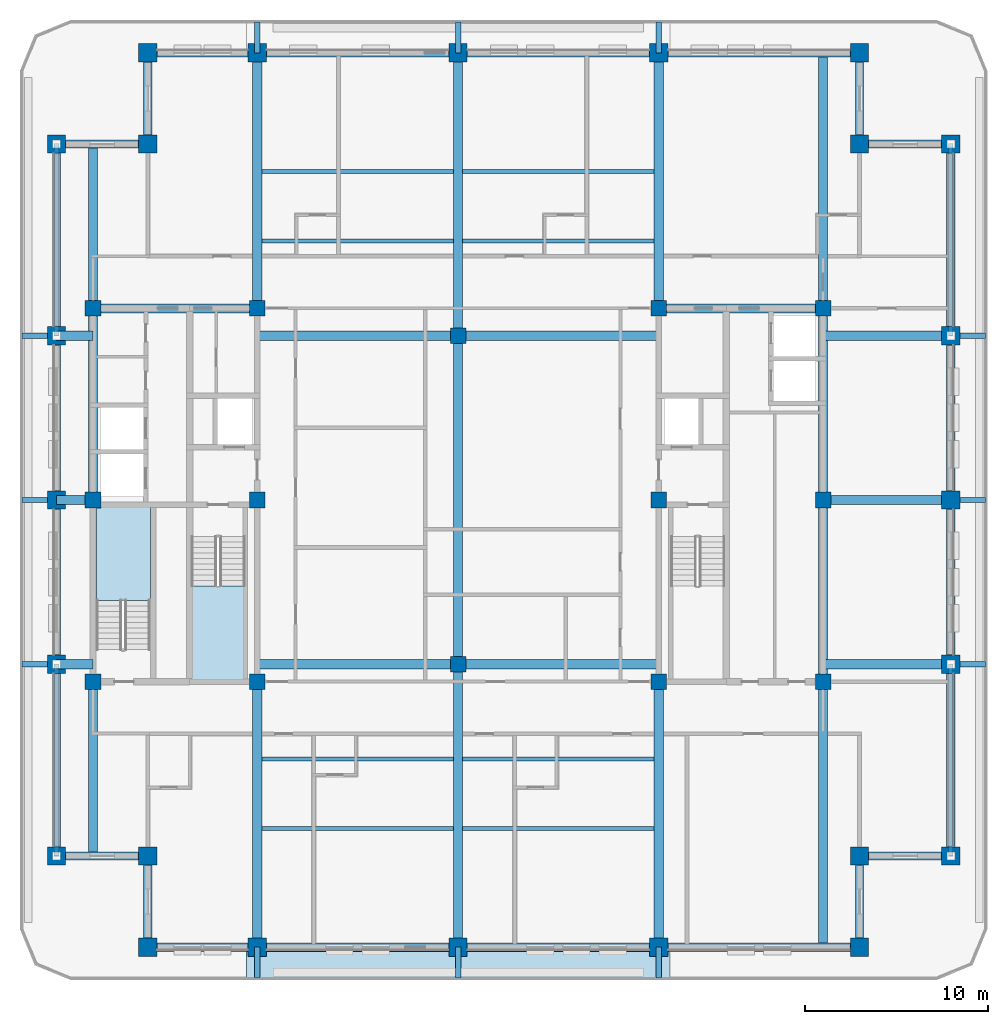
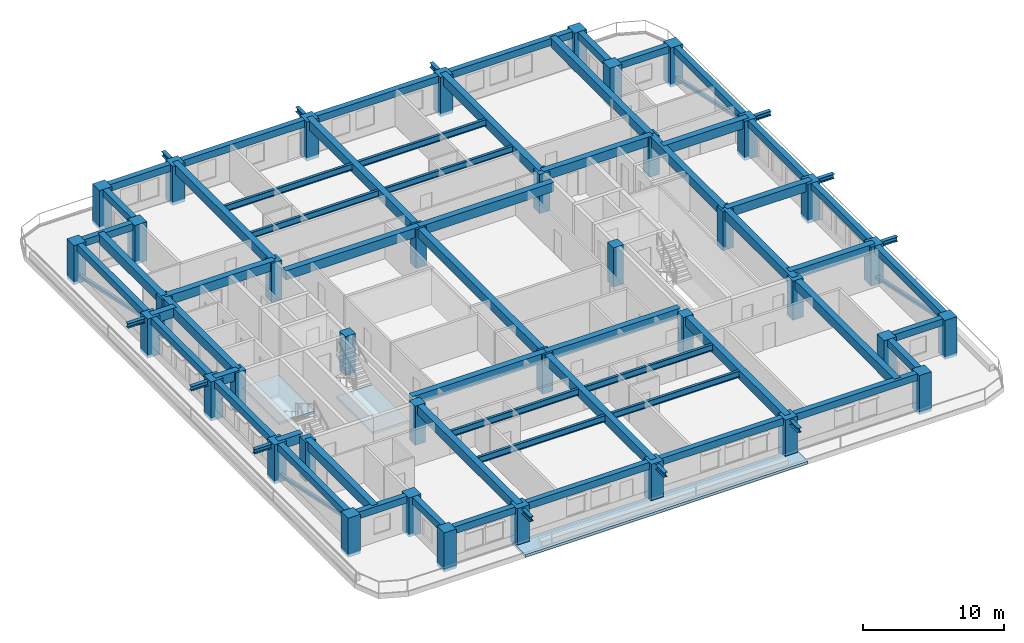
# One storey, part 1 of 13: 70 beams, 38 columns, 4 members, 3 slabs, 2 elements without a shape of their own.
"""IFC4 building model written with IfcOpenShell, lengths in metres."""

from ifc_helpers import new_model, si_unit, direction, frame, origin, origin_2d, place, context, subcontext, project, spatial, polyline, rectangle, hollow_rectangle, i_section, outline, extrude, material, layer, layer_set, material_profile, profile_set, type_object, element, aggregate, save


model = new_model("IFC4")

# Units and contexts
model_context = context("Model", 3, precision=1e-05, world=origin(), true_north=direction((0.0, 1.0)))
body_context = subcontext(model_context, "Body", "Model", "MODEL_VIEW")
ifc_project = project(units=[si_unit("LENGTHUNIT", "METRE"), si_unit("AREAUNIT", "SQUARE_METRE"), si_unit("VOLUMEUNIT", "CUBIC_METRE"), si_unit("PLANEANGLEUNIT", "RADIAN"), si_unit("MASSUNIT", "GRAM", prefix="KILO")], contexts=[model_context])

# Site, building, storey
site_placement = place(None, origin())
site = spatial("IfcSite", under=ifc_project, at=site_placement, CompositionType="ELEMENT")
building_placement = place(site_placement, origin())
building = spatial("IfcBuilding", under=site, at=building_placement, Name="Zulmaris Gate Convention Tower", CompositionType="ELEMENT")
storey_placement = place(building_placement, frame((0.0, 0.0, 169.4599609375)))
storey = spatial("IfcBuildingStorey", under=building, at=storey_placement, Name="L43", CompositionType="ELEMENT", Elevation=169.4599609375)

# Columns
ifc_material_1 = material(Name="Concrete C60/75", Category="concrete")
ifc_material_profile_1 = material_profile(ifc_material_1, rectangle(XDim=1.0, YDim=1.0, at=origin_2d()), Name="RC COL 1000x1000")
ifc_profile_set_1 = profile_set([ifc_material_profile_1], Name="Concrete C60/75")
column_type_1 = type_object("IfcColumnType", Name="COL-RC1000", PredefinedType="COLUMN", material=ifc_profile_set_1)
for number, where, z_axis, x_axis, name in (
    (1, (-17.0, -24.5, -0.25), (0.0, 0.0, 1.0), (1.0, 0.0, 0.0), "L43 Column PT--17.00_-24.50"),
    (2, (-11.0, -24.5, -0.25), (0.0, 0.0, 1.0), (1.0, 0.0, 0.0), "L43 Column PT--11.00_-24.50"),
    (3, (0.0, -24.5, -0.25), (0.0, 0.0, 1.0), (1.0, 0.0, 0.0), "L43 Column PT-+0.00_-24.50"),
    (4, (11.0, -24.5, -0.25), (0.0, 0.0, 1.0), (1.0, 0.0, 0.0), "L43 Column PT-+11.00_-24.50"),
    (5, (22.0, -24.5, -0.25), (0.0, 0.0, 1.0), (1.0, 0.0, 0.0), "L43 Column PT-+22.00_-24.50"),
    (6, (-17.0, 24.5, -0.25), (0.0, 0.0, 1.0), (1.0, 0.0, 0.0), "L43 Column PT--17.00_+24.50"),
    (7, (-11.0, 24.5, -0.25), (0.0, 0.0, 1.0), (1.0, 0.0, 0.0), "L43 Column PT--11.00_+24.50"),
    (8, (0.0, 24.5, -0.25), (0.0, 0.0, 1.0), (1.0, 0.0, 0.0), "L43 Column PT-+0.00_+24.50"),
    (9, (11.0, 24.5, -0.25), (0.0, 0.0, 1.0), (1.0, 0.0, 0.0), "L43 Column PT-+11.00_+24.50"),
    (10, (22.0, 24.5, -0.25), (0.0, 0.0, 1.0), (1.0, 0.0, 0.0), "L43 Column PT-+22.00_+24.50"),
    (11, (-22.0, -19.5, -0.25), (0.0, 0.0, 1.0), (1.0, 0.0, 0.0), "L43 Column PT--22.00_-19.50"),
    (12, (-22.0, -9.0, -0.25), (0.0, 0.0, 1.0), (1.0, 0.0, 0.0), "L43 Column PT--22.00_-9.00"),
    (13, (-22.0, 0.0, -0.25), (0.0, 0.0, 1.0), (1.0, 0.0, 0.0), "L43 Column PT--22.00_+0.00"),
    (14, (-22.0, 9.0, -0.25), (0.0, 0.0, 1.0), (1.0, 0.0, 0.0), "L43 Column PT--22.00_+9.00"),
    (15, (-22.0, 19.5, -0.25), (0.0, 0.0, 1.0), (1.0, 0.0, 0.0), "L43 Column PT--22.00_+19.50"),
    (16, (27.0, -19.5, -0.25), (0.0, 0.0, 1.0), (1.0, 0.0, 0.0), "L43 Column PT-+27.00_-19.50"),
    (17, (27.0, -9.0, -0.25), (0.0, 0.0, 1.0), (1.0, 0.0, 0.0), "L43 Column PT-+27.00_-9.00"),
    (18, (27.0, 0.0, -0.25), (0.0, 0.0, 1.0), (1.0, 0.0, 0.0), "L43 Column PT-+27.00_+0.00"),
    (19, (27.0, 9.0, -0.25), (0.0, 0.0, 1.0), (1.0, 0.0, 0.0), "L43 Column PT-+27.00_+9.00"),
    (20, (27.0, 19.5, -0.25), (0.0, 0.0, 1.0), (1.0, 0.0, 0.0), "L43 Column PT-+27.00_+19.50"),
    (21, (-17.0, -19.5, -0.25), (0.0, 0.0, 1.0), (1.0, 0.0, 0.0), "L43 Column PT--17.00_-19.50"),
    (22, (22.0, -19.5, -0.25), (0.0, 0.0, 1.0), (1.0, 0.0, 0.0), "L43 Column PT-+22.00_-19.50"),
    (23, (22.0, 19.5, -0.25), (0.0, 0.0, 1.0), (1.0, 0.0, 0.0), "L43 Column PT-+22.00_+19.50"),
    (24, (-17.0, 19.5, -0.25), (0.0, 0.0, 1.0), (1.0, 0.0, 0.0), "L43 Column PT--17.00_+19.50"),
):
    element("IfcColumn", number, at=place(storey_placement, frame(where, z_axis=z_axis, x_axis=x_axis)), inside=storey, type_object=column_type_1, Name=name, PredefinedType="COLUMN", context=body_context, shape_type="SweptSolid", body=[
        extrude(rectangle(XDim=1.0, YDim=1.0, at=origin_2d()), origin(), (0.0, 0.0, 1.0), 3.39990234375),
    ])
ifc_material_profile_2 = material_profile(ifc_material_1, rectangle(XDim=0.85009765625, YDim=0.85009765625, at=origin_2d()), Name="RC COL 850x850")
ifc_profile_set_2 = profile_set([ifc_material_profile_2], Name="Concrete C60/75")
column_type_2 = type_object("IfcColumnType", Name="COL-RC850", PredefinedType="COLUMN", material=ifc_profile_set_2)
for number, where, z_axis, x_axis, name in (
    (25, (-20.0, -9.949951171875, -0.25), (0.0, 0.0, 1.0), (1.0, 0.0, 0.0), "L43 Column IN--20.00_-9.95"),
    (26, (-20.0, 10.5, -0.25), (0.0, 0.0, 1.0), (1.0, 0.0, 0.0), "L43 Column IN--20.00_+10.50"),
    (27, (-11.0, -9.949951171875, -0.25), (0.0, 0.0, 1.0), (1.0, 0.0, 0.0), "L43 Column IN--11.00_-9.95"),
    (28, (-11.0, 0.0, -0.25), (0.0, 0.0, 1.0), (1.0, 0.0, 0.0), "L43 Column IN--11.00_+0.00"),
    (29, (-11.0, 10.5, -0.25), (0.0, 0.0, 1.0), (1.0, 0.0, 0.0), "L43 Column IN--11.00_+10.50"),
    (30, (11.0, -9.949951171875, -0.25), (0.0, 0.0, 1.0), (1.0, 0.0, 0.0), "L43 Column IN-+11.00_-9.95"),
    (31, (11.0, 0.0, -0.25), (0.0, 0.0, 1.0), (1.0, 0.0, 0.0), "L43 Column IN-+11.00_+0.00"),
    (32, (11.0, 10.5, -0.25), (0.0, 0.0, 1.0), (1.0, 0.0, 0.0), "L43 Column IN-+11.00_+10.50"),
    (33, (20.0, -9.949951171875, -0.25), (0.0, 0.0, 1.0), (1.0, 0.0, 0.0), "L43 Column IN-+20.00_-9.95"),
    (34, (20.0, 10.5, -0.25), (0.0, 0.0, 1.0), (1.0, 0.0, 0.0), "L43 Column IN-+20.00_+10.50"),
    (35, (0.0, -9.0, -0.25), (0.0, 0.0, 1.0), (1.0, 0.0, 0.0), "L43 Column IN-+0.00_-9.00"),
    (36, (0.0, 9.0, -0.25), (0.0, 0.0, 1.0), (1.0, 0.0, 0.0), "L43 Column IN-+0.00_+9.00"),
    (37, (-20.0, 0.0, -0.25), (0.0, 0.0, 1.0), (1.0, 0.0, 0.0), "L43 Column IN--20.00_+0.00"),
    (38, (20.0, 0.0, -0.25), (0.0, 0.0, 1.0), (1.0, 0.0, 0.0), "L43 Column IN-+20.00_+0.00"),
):
    element("IfcColumn", number, at=place(storey_placement, frame(where, z_axis=z_axis, x_axis=x_axis)), inside=storey, type_object=column_type_2, Name=name, PredefinedType="COLUMN", context=body_context, shape_type="SweptSolid", body=[
        extrude(rectangle(XDim=0.85009765625, YDim=0.85009765625, at=origin_2d()), origin(), (0.0, 0.0, 1.0), 3.39990234375),
    ])

# Beams
ifc_material_2 = material(Name="Steel S355", Category="steel")
ifc_material_profile_3 = material_profile(ifc_material_2, i_section(OverallWidth=0.300048828125, OverallDepth=0.39990234375, WebThickness=0.013427734375, FlangeThickness=0.02392578125, FilletRadius=0.027099609375, at=origin_2d()), Name="HEB 400")
ifc_profile_set_3 = profile_set([ifc_material_profile_3], Name="Steel S355")
beam_type_1 = type_object("IfcBeamType", Name="BM-HEB400", PredefinedType="BEAM", material=ifc_profile_set_3)
for number, where, z_axis, x_axis, name in (
    (39, (-11.0, -26.199951171875, 2.81005859375), (0.0, 1.0, 0.0), (-1.0, 0.0, 0.0), "L43 Beam TBRK-L43-S--11"),
    (40, (-11.0, 24.5, 2.81005859375), (0.0, 1.0, 0.0), (-1.0, 0.0, 0.0), "L43 Beam TBRK-L43-N--11"),
    (41, (0.0, -26.199951171875, 2.81005859375), (0.0, 1.0, 0.0), (-1.0, 0.0, 0.0), "L43 Beam TBRK-L43-S-+0"),
    (42, (0.0, 24.5, 2.81005859375), (0.0, 1.0, 0.0), (-1.0, 0.0, 0.0), "L43 Beam TBRK-L43-N-+0"),
    (43, (11.0, -26.199951171875, 2.81005859375), (0.0, 1.0, 0.0), (-1.0, 0.0, 0.0), "L43 Beam TBRK-L43-S-+11"),
    (44, (11.0, 24.5, 2.81005859375), (0.0, 1.0, 0.0), (-1.0, 0.0, 0.0), "L43 Beam TBRK-L43-N-+11"),
):
    element("IfcBeam", number, at=place(storey_placement, frame(where, z_axis=z_axis, x_axis=x_axis)), inside=storey, type_object=beam_type_1, Name=name, PredefinedType="BEAM", context=body_context, shape_type="SweptSolid", body=[
        extrude(i_section(OverallWidth=0.300048828125, OverallDepth=0.39990234375, WebThickness=0.013427734375, FlangeThickness=0.02392578125, FilletRadius=0.027099609375, at=origin_2d()), origin(), (0.0, 0.0, 1.0), 1.699951171875),
    ])
for number, where, z_axis, x_axis, name in (
    (45, (-23.89990234375, -9.0, 2.81005859375), (1.0, 0.0, 0.0), (0.0, 1.0, 0.0), "L43 Beam TBRK-L43-W--9"),
    (46, (27.0, -9.0, 2.81005859375), (1.0, 0.0, 0.0), (0.0, 1.0, 0.0), "L43 Beam TBRK-L43-E--9"),
    (47, (-23.89990234375, 0.0, 2.81005859375), (1.0, 0.0, 0.0), (0.0, 1.0, 0.0), "L43 Beam TBRK-L43-W-+0"),
    (48, (27.0, 0.0, 2.81005859375), (1.0, 0.0, 0.0), (0.0, 1.0, 0.0), "L43 Beam TBRK-L43-E-+0"),
    (49, (-23.89990234375, 9.0, 2.81005859375), (1.0, 0.0, 0.0), (0.0, 1.0, 0.0), "L43 Beam TBRK-L43-W-+9"),
    (50, (27.0, 9.0, 2.81005859375), (1.0, 0.0, 0.0), (0.0, 1.0, 0.0), "L43 Beam TBRK-L43-E-+9"),
):
    element("IfcBeam", number, at=place(storey_placement, frame(where, z_axis=z_axis, x_axis=x_axis)), inside=storey, type_object=beam_type_1, Name=name, PredefinedType="BEAM", context=body_context, shape_type="SweptSolid", body=[
        extrude(i_section(OverallWidth=0.300048828125, OverallDepth=0.39990234375, WebThickness=0.013427734375, FlangeThickness=0.02392578125, FilletRadius=0.027099609375, at=origin_2d()), origin(), (0.0, 0.0, 1.0), 1.89990234375),
    ])
ifc_material_3 = material(Name="Concrete C50/60", Category="concrete")
ifc_material_profile_4 = material_profile(ifc_material_3, rectangle(XDim=0.5, YDim=0.800048828125, at=origin_2d()), Name="RC BEAM 500x800")
ifc_profile_set_4 = profile_set([ifc_material_profile_4], Name="Concrete C50/60")
beam_type_2 = type_object("IfcBeamType", Name="BM-RC500x800", PredefinedType="BEAM", material=ifc_profile_set_4)
for number, where, z_axis, x_axis, name in (
    (51, (-11.0, -9.0, 2.75), (1.0, 0.0, 0.0), (0.0, 1.0, 0.0), "L43 Beam BM-L43-G01"),
    (52, (0.0, -9.0, 2.75), (1.0, 0.0, 0.0), (0.0, 1.0, 0.0), "L43 Beam BM-L43-G02"),
    (53, (-11.0, 9.0, 2.75), (1.0, 0.0, 0.0), (0.0, 1.0, 0.0), "L43 Beam BM-L43-G03"),
    (54, (0.0, 9.0, 2.75), (1.0, 0.0, 0.0), (0.0, 1.0, 0.0), "L43 Beam BM-L43-G04"),
):
    element("IfcBeam", number, at=place(storey_placement, frame(where, z_axis=z_axis, x_axis=x_axis)), inside=storey, type_object=beam_type_2, Name=name, PredefinedType="BEAM", context=body_context, shape_type="SweptSolid", body=[
        extrude(rectangle(XDim=0.5, YDim=0.800048828125, at=origin_2d()), origin(), (0.0, 0.0, 1.0), 11.0),
    ])
beam_1_placement = place(storey_placement, frame((0.0, -24.5, 2.75), z_axis=(0.0, 1.0, 0.0), x_axis=(-1.0, 0.0, 0.0)))
element("IfcBeam", 55, at=beam_1_placement, inside=storey, type_object=beam_type_2, Name="L43 Beam BM-L43-G05", PredefinedType="BEAM", context=body_context, shape_type="SweptSolid", body=[
    extrude(rectangle(XDim=0.5, YDim=0.800048828125, at=origin_2d()), origin(), (0.0, 0.0, 1.0), 15.5),
])
beam_2_placement = place(storey_placement, frame((0.0, -9.0, 2.75), z_axis=(0.0, 1.0, 0.0), x_axis=(-1.0, 0.0, 0.0)))
element("IfcBeam", 56, at=beam_2_placement, inside=storey, type_object=beam_type_2, Name="L43 Beam BM-L43-G06", PredefinedType="BEAM", context=body_context, shape_type="SweptSolid", body=[
    extrude(rectangle(XDim=0.5, YDim=0.800048828125, at=origin_2d()), origin(), (0.0, 0.0, 1.0), 18.0),
])
beam_3_placement = place(storey_placement, frame((0.0, 9.0, 2.75), z_axis=(0.0, 1.0, 0.0), x_axis=(-1.0, 0.0, 0.0)))
element("IfcBeam", 57, at=beam_3_placement, inside=storey, type_object=beam_type_2, Name="L43 Beam BM-L43-G07", PredefinedType="BEAM", context=body_context, shape_type="SweptSolid", body=[
    extrude(rectangle(XDim=0.5, YDim=0.800048828125, at=origin_2d()), origin(), (0.0, 0.0, 1.0), 15.5),
])
beam_4_placement = place(storey_placement, frame((-11.0, -24.5, 2.75), z_axis=(0.0, 1.0, 0.0), x_axis=(-1.0, 0.0, 0.0)))
element("IfcBeam", 58, at=beam_4_placement, inside=storey, type_object=beam_type_2, Name="L43 Beam BM-L43-G08", PredefinedType="BEAM", context=body_context, shape_type="SweptSolid", body=[
    extrude(rectangle(XDim=0.5, YDim=0.800048828125, at=origin_2d()), origin(), (0.0, 0.0, 1.0), 14.550048828125),
])
beam_5_placement = place(storey_placement, frame((-11.0, 10.5, 2.75), z_axis=(0.0, 1.0, 0.0), x_axis=(-1.0, 0.0, 0.0)))
element("IfcBeam", 59, at=beam_5_placement, inside=storey, type_object=beam_type_2, Name="L43 Beam BM-L43-G09", PredefinedType="BEAM", context=body_context, shape_type="SweptSolid", body=[
    extrude(rectangle(XDim=0.5, YDim=0.800048828125, at=origin_2d()), origin(), (0.0, 0.0, 1.0), 14.0),
])
beam_6_placement = place(storey_placement, frame((11.0, -24.5, 2.75), z_axis=(0.0, 1.0, 0.0), x_axis=(-1.0, 0.0, 0.0)))
element("IfcBeam", 60, at=beam_6_placement, inside=storey, type_object=beam_type_2, Name="L43 Beam BM-L43-G10", PredefinedType="BEAM", context=body_context, shape_type="SweptSolid", body=[
    extrude(rectangle(XDim=0.5, YDim=0.800048828125, at=origin_2d()), origin(), (0.0, 0.0, 1.0), 14.550048828125),
])
beam_7_placement = place(storey_placement, frame((11.0, 10.5, 2.75), z_axis=(0.0, 1.0, 0.0), x_axis=(-1.0, 0.0, 0.0)))
element("IfcBeam", 61, at=beam_7_placement, inside=storey, type_object=beam_type_2, Name="L43 Beam BM-L43-G11", PredefinedType="BEAM", context=body_context, shape_type="SweptSolid", body=[
    extrude(rectangle(XDim=0.5, YDim=0.800048828125, at=origin_2d()), origin(), (0.0, 0.0, 1.0), 14.0),
])
beam_8_placement = place(storey_placement, frame((-20.0, -19.5, 2.75), z_axis=(0.0, 1.0, 0.0), x_axis=(-1.0, 0.0, 0.0)))
element("IfcBeam", 62, at=beam_8_placement, inside=storey, type_object=beam_type_2, Name="L43 Beam BM-L43-G12", PredefinedType="BEAM", context=body_context, shape_type="SweptSolid", body=[
    extrude(rectangle(XDim=0.5, YDim=0.800048828125, at=origin_2d()), origin(), (0.0, 0.0, 1.0), 9.550048828125),
])
beam_9_placement = place(storey_placement, frame((-20.0, 10.5, 2.75), z_axis=(0.0, 1.0, 0.0), x_axis=(-1.0, 0.0, 0.0)))
element("IfcBeam", 63, at=beam_9_placement, inside=storey, type_object=beam_type_2, Name="L43 Beam BM-L43-G13", PredefinedType="BEAM", context=body_context, shape_type="SweptSolid", body=[
    extrude(rectangle(XDim=0.5, YDim=0.800048828125, at=origin_2d()), origin(), (0.0, 0.0, 1.0), 9.0),
])
beam_10_placement = place(storey_placement, frame((20.0, -24.5, 2.75), z_axis=(0.0, 1.0, 0.0), x_axis=(-1.0, 0.0, 0.0)))
element("IfcBeam", 64, at=beam_10_placement, inside=storey, type_object=beam_type_2, Name="L43 Beam BM-L43-G14", PredefinedType="BEAM", context=body_context, shape_type="SweptSolid", body=[
    extrude(rectangle(XDim=0.5, YDim=0.800048828125, at=origin_2d()), origin(), (0.0, 0.0, 1.0), 14.550048828125),
])
beam_11_placement = place(storey_placement, frame((20.0, 10.5, 2.75), z_axis=(0.0, 1.0, 0.0), x_axis=(-1.0, 0.0, 0.0)))
element("IfcBeam", 65, at=beam_11_placement, inside=storey, type_object=beam_type_2, Name="L43 Beam BM-L43-G15", PredefinedType="BEAM", context=body_context, shape_type="SweptSolid", body=[
    extrude(rectangle(XDim=0.5, YDim=0.800048828125, at=origin_2d()), origin(), (0.0, 0.0, 1.0), 14.0),
])
for number, where, z_axis, x_axis, name in (
    (66, (-22.0, -9.0, 2.75), (1.0, 0.0, 0.0), (0.0, 1.0, 0.0), "L43 Beam BM-L43-G16"),
    (67, (-22.0, 0.0, 2.75), (1.0, 0.0, 0.0), (0.0, 1.0, 0.0), "L43 Beam BM-L43-G17"),
    (68, (-22.0, 9.0, 2.75), (1.0, 0.0, 0.0), (0.0, 1.0, 0.0), "L43 Beam BM-L43-G18"),
):
    element("IfcBeam", number, at=place(storey_placement, frame(where, z_axis=z_axis, x_axis=x_axis)), inside=storey, type_object=beam_type_2, Name=name, PredefinedType="BEAM", context=body_context, shape_type="SweptSolid", body=[
        extrude(rectangle(XDim=0.5, YDim=0.800048828125, at=origin_2d()), origin(), (0.0, 0.0, 1.0), 2.0),
    ])
for number, where, z_axis, x_axis, name in (
    (69, (20.0, -9.0, 2.75), (1.0, 0.0, 0.0), (0.0, 1.0, 0.0), "L43 Beam BM-L43-G19"),
    (70, (20.0, 0.0, 2.75), (1.0, 0.0, 0.0), (0.0, 1.0, 0.0), "L43 Beam BM-L43-G20"),
    (71, (20.0, 9.0, 2.75), (1.0, 0.0, 0.0), (0.0, 1.0, 0.0), "L43 Beam BM-L43-G21"),
):
    element("IfcBeam", number, at=place(storey_placement, frame(where, z_axis=z_axis, x_axis=x_axis)), inside=storey, type_object=beam_type_2, Name=name, PredefinedType="BEAM", context=body_context, shape_type="SweptSolid", body=[
        extrude(rectangle(XDim=0.5, YDim=0.800048828125, at=origin_2d()), origin(), (0.0, 0.0, 1.0), 7.0),
    ])
for number, where, z_axis, x_axis, name in (
    (72, (-20.0, 10.5, 2.75), (1.0, 0.0, 0.0), (0.0, 1.0, 0.0), "L43 Beam BM-L43-G23"),
    (73, (11.0, 10.5, 2.75), (1.0, 0.0, 0.0), (0.0, 1.0, 0.0), "L43 Beam BM-L43-G25"),
):
    element("IfcBeam", number, at=place(storey_placement, frame(where, z_axis=z_axis, x_axis=x_axis)), inside=storey, type_object=beam_type_2, Name=name, PredefinedType="BEAM", context=body_context, shape_type="SweptSolid", body=[
        extrude(rectangle(XDim=0.5, YDim=0.800048828125, at=origin_2d()), origin(), (0.0, 0.0, 1.0), 9.0),
    ])
beam_12_placement = place(storey_placement, frame((-20.0, 0.0, 2.75), z_axis=(0.0, 1.0, 0.0), x_axis=(-1.0, 0.0, 0.0)))
element("IfcBeam", 74, at=beam_12_placement, inside=storey, type_object=beam_type_2, Name="L43 Beam BM-L43-G27", PredefinedType="BEAM", context=body_context, shape_type="SweptSolid", body=[
    extrude(rectangle(XDim=0.5, YDim=0.800048828125, at=origin_2d()), origin(), (0.0, 0.0, 1.0), 10.5),
])
beam_13_placement = place(storey_placement, frame((20.0, -9.949951171875, 2.75), z_axis=(0.0, 1.0, 0.0), x_axis=(-1.0, 0.0, 0.0)))
element("IfcBeam", 75, at=beam_13_placement, inside=storey, type_object=beam_type_2, Name="L43 Beam BM-L43-G28", PredefinedType="BEAM", context=body_context, shape_type="SweptSolid", body=[
    extrude(rectangle(XDim=0.5, YDim=0.800048828125, at=origin_2d()), origin(), (0.0, 0.0, 1.0), 9.949951171875),
])
beam_14_placement = place(storey_placement, frame((20.0, 0.0, 2.75), z_axis=(0.0, 1.0, 0.0), x_axis=(-1.0, 0.0, 0.0)))
element("IfcBeam", 76, at=beam_14_placement, inside=storey, type_object=beam_type_2, Name="L43 Beam BM-L43-G29", PredefinedType="BEAM", context=body_context, shape_type="SweptSolid", body=[
    extrude(rectangle(XDim=0.5, YDim=0.800048828125, at=origin_2d()), origin(), (0.0, 0.0, 1.0), 10.5),
])
ifc_material_4 = material(Name="Precast concrete C50/60", Category="concrete")
ifc_material_profile_5 = material_profile(ifc_material_4, rectangle(XDim=0.449951171875, YDim=0.60009765625, at=origin_2d()), Name="RC SPANDREL 450x600")
ifc_profile_set_5 = profile_set([ifc_material_profile_5], Name="Precast concrete C50/60")
beam_type_3 = type_object("IfcBeamType", Name="BM-SP450x600", PredefinedType="SPANDREL", material=ifc_profile_set_5)
beam_15_placement = place(storey_placement, frame((-17.0, -24.5, 2.849853515625), z_axis=(1.0, 0.0, 0.0), x_axis=(0.0, 1.0, 0.0)))
element("IfcBeam", 77, at=beam_15_placement, inside=storey, type_object=beam_type_3, Name="L43 Spandrel SP-L43-01", PredefinedType="SPANDREL", context=body_context, shape_type="SweptSolid", body=[
    extrude(rectangle(XDim=0.449951171875, YDim=0.60009765625, at=origin_2d()), origin(), (0.0, 0.0, 1.0), 6.0),
])
for number, where, z_axis, x_axis, name in (
    (78, (-11.0, -24.5, 2.849853515625), (1.0, 0.0, 0.0), (0.0, 1.0, 0.0), "L43 Spandrel SP-L43-02"),
    (79, (0.0, -24.5, 2.849853515625), (1.0, 0.0, 0.0), (0.0, 1.0, 0.0), "L43 Spandrel SP-L43-03"),
    (80, (11.0, -24.5, 2.849853515625), (1.0, 0.0, 0.0), (0.0, 1.0, 0.0), "L43 Spandrel SP-L43-04"),
):
    element("IfcBeam", number, at=place(storey_placement, frame(where, z_axis=z_axis, x_axis=x_axis)), inside=storey, type_object=beam_type_3, Name=name, PredefinedType="SPANDREL", context=body_context, shape_type="SweptSolid", body=[
        extrude(rectangle(XDim=0.449951171875, YDim=0.60009765625, at=origin_2d()), origin(), (0.0, 0.0, 1.0), 11.0),
    ])
for number, where, z_axis, x_axis, name in (
    (81, (22.0, -24.5, 2.849853515625), (0.0, 1.0, 0.0), (-1.0, 0.0, 0.0), "L43 Spandrel SP-L43-05"),
    (82, (22.0, -19.5, 2.849853515625), (1.0, 0.0, 0.0), (0.0, 1.0, 0.0), "L43 Spandrel SP-L43-06"),
):
    element("IfcBeam", number, at=place(storey_placement, frame(where, z_axis=z_axis, x_axis=x_axis)), inside=storey, type_object=beam_type_3, Name=name, PredefinedType="SPANDREL", context=body_context, shape_type="SweptSolid", body=[
        extrude(rectangle(XDim=0.449951171875, YDim=0.60009765625, at=origin_2d()), origin(), (0.0, 0.0, 1.0), 5.0),
    ])
beam_16_placement = place(storey_placement, frame((27.0, -19.5, 2.849853515625), z_axis=(0.0, 1.0, 0.0), x_axis=(-1.0, 0.0, 0.0)))
element("IfcBeam", 83, at=beam_16_placement, inside=storey, type_object=beam_type_3, Name="L43 Spandrel SP-L43-07", PredefinedType="SPANDREL", context=body_context, shape_type="SweptSolid", body=[
    extrude(rectangle(XDim=0.449951171875, YDim=0.60009765625, at=origin_2d()), origin(), (0.0, 0.0, 1.0), 10.5),
])
for number, where, z_axis, x_axis, name in (
    (84, (27.0, -9.0, 2.849853515625), (0.0, 1.0, 0.0), (-1.0, 0.0, 0.0), "L43 Spandrel SP-L43-08"),
    (85, (27.0, 0.0, 2.849853515625), (0.0, 1.0, 0.0), (-1.0, 0.0, 0.0), "L43 Spandrel SP-L43-09"),
):
    element("IfcBeam", number, at=place(storey_placement, frame(where, z_axis=z_axis, x_axis=x_axis)), inside=storey, type_object=beam_type_3, Name=name, PredefinedType="SPANDREL", context=body_context, shape_type="SweptSolid", body=[
        extrude(rectangle(XDim=0.449951171875, YDim=0.60009765625, at=origin_2d()), origin(), (0.0, 0.0, 1.0), 9.0),
    ])
beam_17_placement = place(storey_placement, frame((27.0, 9.0, 2.849853515625), z_axis=(0.0, 1.0, 0.0), x_axis=(-1.0, 0.0, 0.0)))
element("IfcBeam", 86, at=beam_17_placement, inside=storey, type_object=beam_type_3, Name="L43 Spandrel SP-L43-10", PredefinedType="SPANDREL", context=body_context, shape_type="SweptSolid", body=[
    extrude(rectangle(XDim=0.449951171875, YDim=0.60009765625, at=origin_2d()), origin(), (0.0, 0.0, 1.0), 10.5),
])
for number, where, z_axis, x_axis, name in (
    (87, (27.0, 19.5, 2.849853515625), (-1.0, 0.0, 0.0), (0.0, -1.0, 0.0), "L43 Spandrel SP-L43-11"),
    (88, (22.0, 19.5, 2.849853515625), (0.0, 1.0, 0.0), (-1.0, 0.0, 0.0), "L43 Spandrel SP-L43-12"),
):
    element("IfcBeam", number, at=place(storey_placement, frame(where, z_axis=z_axis, x_axis=x_axis)), inside=storey, type_object=beam_type_3, Name=name, PredefinedType="SPANDREL", context=body_context, shape_type="SweptSolid", body=[
        extrude(rectangle(XDim=0.449951171875, YDim=0.60009765625, at=origin_2d()), origin(), (0.0, 0.0, 1.0), 5.0),
    ])
for number, where, z_axis, x_axis, name in (
    (89, (22.0, 24.5, 2.849853515625), (-1.0, 0.0, 0.0), (0.0, -1.0, 0.0), "L43 Spandrel SP-L43-13"),
    (90, (11.0, 24.5, 2.849853515625), (-1.0, 0.0, 0.0), (0.0, -1.0, 0.0), "L43 Spandrel SP-L43-14"),
    (91, (0.0, 24.5, 2.849853515625), (-1.0, 0.0, 0.0), (0.0, -1.0, 0.0), "L43 Spandrel SP-L43-15"),
):
    element("IfcBeam", number, at=place(storey_placement, frame(where, z_axis=z_axis, x_axis=x_axis)), inside=storey, type_object=beam_type_3, Name=name, PredefinedType="SPANDREL", context=body_context, shape_type="SweptSolid", body=[
        extrude(rectangle(XDim=0.449951171875, YDim=0.60009765625, at=origin_2d()), origin(), (0.0, 0.0, 1.0), 11.0),
    ])
beam_18_placement = place(storey_placement, frame((-11.0, 24.5, 2.849853515625), z_axis=(-1.0, 0.0, 0.0), x_axis=(0.0, -1.0, 0.0)))
element("IfcBeam", 92, at=beam_18_placement, inside=storey, type_object=beam_type_3, Name="L43 Spandrel SP-L43-16", PredefinedType="SPANDREL", context=body_context, shape_type="SweptSolid", body=[
    extrude(rectangle(XDim=0.449951171875, YDim=0.60009765625, at=origin_2d()), origin(), (0.0, 0.0, 1.0), 6.0),
])
for number, where, z_axis, x_axis, name in (
    (93, (-17.0, 24.5, 2.849853515625), (0.0, -1.0, 0.0), (1.0, 0.0, 0.0), "L43 Spandrel SP-L43-17"),
    (94, (-17.0, 19.5, 2.849853515625), (-1.0, 0.0, 0.0), (0.0, -1.0, 0.0), "L43 Spandrel SP-L43-18"),
):
    element("IfcBeam", number, at=place(storey_placement, frame(where, z_axis=z_axis, x_axis=x_axis)), inside=storey, type_object=beam_type_3, Name=name, PredefinedType="SPANDREL", context=body_context, shape_type="SweptSolid", body=[
        extrude(rectangle(XDim=0.449951171875, YDim=0.60009765625, at=origin_2d()), origin(), (0.0, 0.0, 1.0), 5.0),
    ])
beam_19_placement = place(storey_placement, frame((-22.0, 19.5, 2.849853515625), z_axis=(0.0, -1.0, 0.0), x_axis=(1.0, 0.0, 0.0)))
element("IfcBeam", 95, at=beam_19_placement, inside=storey, type_object=beam_type_3, Name="L43 Spandrel SP-L43-19", PredefinedType="SPANDREL", context=body_context, shape_type="SweptSolid", body=[
    extrude(rectangle(XDim=0.449951171875, YDim=0.60009765625, at=origin_2d()), origin(), (0.0, 0.0, 1.0), 10.5),
])
for number, where, z_axis, x_axis, name in (
    (96, (-22.0, 9.0, 2.849853515625), (0.0, -1.0, 0.0), (1.0, 0.0, 0.0), "L43 Spandrel SP-L43-20"),
    (97, (-22.0, 0.0, 2.849853515625), (0.0, -1.0, 0.0), (1.0, 0.0, 0.0), "L43 Spandrel SP-L43-21"),
):
    element("IfcBeam", number, at=place(storey_placement, frame(where, z_axis=z_axis, x_axis=x_axis)), inside=storey, type_object=beam_type_3, Name=name, PredefinedType="SPANDREL", context=body_context, shape_type="SweptSolid", body=[
        extrude(rectangle(XDim=0.449951171875, YDim=0.60009765625, at=origin_2d()), origin(), (0.0, 0.0, 1.0), 9.0),
    ])
beam_20_placement = place(storey_placement, frame((-22.0, -9.0, 2.849853515625), z_axis=(0.0, -1.0, 0.0), x_axis=(1.0, 0.0, 0.0)))
element("IfcBeam", 98, at=beam_20_placement, inside=storey, type_object=beam_type_3, Name="L43 Spandrel SP-L43-22", PredefinedType="SPANDREL", context=body_context, shape_type="SweptSolid", body=[
    extrude(rectangle(XDim=0.449951171875, YDim=0.60009765625, at=origin_2d()), origin(), (0.0, 0.0, 1.0), 10.5),
])
for number, where, z_axis, x_axis, name in (
    (99, (-22.0, -19.5, 2.849853515625), (1.0, 0.0, 0.0), (0.0, 1.0, 0.0), "L43 Spandrel SP-L43-23"),
    (100, (-17.0, -19.5, 2.849853515625), (0.0, -1.0, 0.0), (1.0, 0.0, 0.0), "L43 Spandrel SP-L43-24"),
):
    element("IfcBeam", number, at=place(storey_placement, frame(where, z_axis=z_axis, x_axis=x_axis)), inside=storey, type_object=beam_type_3, Name=name, PredefinedType="SPANDREL", context=body_context, shape_type="SweptSolid", body=[
        extrude(rectangle(XDim=0.449951171875, YDim=0.60009765625, at=origin_2d()), origin(), (0.0, 0.0, 1.0), 5.0),
    ])

# Members
ifc_material_profile_6 = material_profile(ifc_material_2, hollow_rectangle(XDim=0.25, YDim=0.25, WallThickness=0.012451171875, at=origin_2d()), Name="SHS 250x250x12.5")
ifc_profile_set_6 = profile_set([ifc_material_profile_6], Name="Steel S355")
member_type = type_object("IfcMemberType", Name="BR-SHS250", PredefinedType="BRACE", material=ifc_profile_set_6)
for number, where, z_axis, x_axis, name in (
    (101, (-22.0, -9.0, 0.300048828125), (0.0, -0.978182890872, 0.20774559443), (1.0, 0.0, 0.0), "L43 Perimeter Tube Diagonal SW-W"),
    (102, (-22.0, 19.5, 0.300048828125), (0.0, -0.978182890872, 0.20774559443), (1.0, 0.0, 0.0), "L43 Perimeter Tube Diagonal NW-W"),
    (103, (27.0, -9.0, 0.300048828125), (0.0, -0.978182890872, 0.20774559443), (1.0, 0.0, 0.0), "L43 Perimeter Tube Diagonal SE-E"),
    (104, (27.0, 19.5, 0.300048828125), (0.0, -0.978182890872, 0.20774559443), (1.0, 0.0, 0.0), "L43 Perimeter Tube Diagonal NE-E"),
):
    element("IfcMember", number, at=place(storey_placement, frame(where, z_axis=z_axis, x_axis=x_axis)), inside=storey, type_object=member_type, Name=name, PredefinedType="BRACE", context=body_context, shape_type="SweptSolid", body=[
        extrude(hollow_rectangle(XDim=0.25, YDim=0.25, WallThickness=0.012451171875, at=origin_2d()), origin(), (0.0, 0.0, 1.0), 10.734130859375),
    ])

# Beams
ifc_material_profile_7 = material_profile(ifc_material_2, i_section(OverallWidth=0.2099609375, OverallDepth=0.550048828125, WebThickness=0.010986328125, FlangeThickness=0.01708984375, FilletRadius=0.02392578125, at=origin_2d()), Name="IPE 550")
ifc_profile_set_7 = profile_set([ifc_material_profile_7], Name="Steel S355")
beam_type_4 = type_object("IfcBeamType", Name="JT-IPE550", PredefinedType="JOIST", material=ifc_profile_set_7)
for number, where, z_axis, x_axis, name in (
    (105, (-10.75, -18.0, 2.873046875), (1.0, 0.0, 0.0), (0.0, 1.0, 0.0), "L43 Joist JT-L43-CW--18.0"),
    (106, (0.25, -18.0, 2.873046875), (1.0, 0.0, 0.0), (0.0, 1.0, 0.0), "L43 Joist JT-L43-CE--18.0"),
    (107, (-10.75, -14.199951171875, 2.873046875), (1.0, 0.0, 0.0), (0.0, 1.0, 0.0), "L43 Joist JT-L43-CW--14.2"),
    (108, (0.25, -14.199951171875, 2.873046875), (1.0, 0.0, 0.0), (0.0, 1.0, 0.0), "L43 Joist JT-L43-CE--14.2"),
    (109, (-10.75, 14.199951171875, 2.873046875), (1.0, 0.0, 0.0), (0.0, 1.0, 0.0), "L43 Joist JT-L43-CW-+14.2"),
    (110, (0.25, 14.199951171875, 2.873046875), (1.0, 0.0, 0.0), (0.0, 1.0, 0.0), "L43 Joist JT-L43-CE-+14.2"),
    (111, (-10.75, 18.0, 2.873046875), (1.0, 0.0, 0.0), (0.0, 1.0, 0.0), "L43 Joist JT-L43-CW-+18.0"),
    (112, (0.25, 18.0, 2.873046875), (1.0, 0.0, 0.0), (0.0, 1.0, 0.0), "L43 Joist JT-L43-CE-+18.0"),
):
    element("IfcBeam", number, at=place(storey_placement, frame(where, z_axis=z_axis, x_axis=x_axis)), inside=storey, type_object=beam_type_4, Name=name, PredefinedType="JOIST", context=body_context, shape_type="SweptSolid", body=[
        extrude(i_section(OverallWidth=0.2099609375, OverallDepth=0.550048828125, WebThickness=0.010986328125, FlangeThickness=0.01708984375, FilletRadius=0.02392578125, at=origin_2d()), origin(), (0.0, 0.0, 1.0), 10.5),
    ])

# Slab
ifc_layer_1 = layer(ifc_material_4, 0.239990234375, Name="Precast concrete C50/60")
ifc_layer_set_1 = layer_set([ifc_layer_1], Name="Precast concrete C50/60")
slab_type_1 = type_object("IfcSlabType", Name="SL-BAL-240", PredefinedType="FLOOR", material=ifc_layer_set_1)
slab_1_placement = place(storey_placement, frame((0.0, 0.0, -0.25)))
element("IfcSlab", 113, at=slab_1_placement, inside=storey, type_object=slab_type_1, Name="L43 South Tree-Balcony Planter Slab", PredefinedType="FLOOR", context=body_context, shape_type="SweptSolid", body=[
    extrude(outline(polyline([(-11.597900390625, -26.300048828125), (-11.597900390625, -24.5), (11.597900390625, -24.5), (11.597900390625, -26.300048828125), (-11.597900390625, -26.300048828125)])), origin(), (0.0, 0.0, 1.0), 0.239990234375),
])

# Stair, slab
ifc_material_5 = material(Name="Concrete C45/55", Category="concrete")
stair_type = type_object("IfcStairType", Name="ST-CORE-DOGLEG", PredefinedType="HALF_TURN_STAIR", material=ifc_material_5)
stair_1_placement = place(storey_placement, origin())
stair_1 = element("IfcStair", 114, at=stair_1_placement, inside=storey, type_object=stair_type, Name="L43 Core Exit Stair ST-1", PredefinedType="HALF_TURN_STAIR")
ifc_layer_2 = layer(ifc_material_5, 0.199951171875, Name="Concrete C45/55")
ifc_layer_set_2 = layer_set([ifc_layer_2], Name="Concrete C45/55")
slab_type_2 = type_object("IfcSlabType", Name="SL-LND-200", PredefinedType="LANDING", material=ifc_layer_set_2)
slab_2_placement = place(storey_placement, frame((0.0, 0.0, 1.5)))
slab_2 = element("IfcSlab", 115, at=slab_2_placement, type_object=slab_type_2, Name="ST-1 landing 1", PredefinedType="LANDING", context=body_context, shape_type="SweptSolid", body=[
    extrude(outline(polyline([(-14.6201171875, -4.699951171875), (-14.6201171875, -9.85009765625), (-11.659912109375, -9.85009765625), (-11.659912109375, -4.699951171875), (-14.6201171875, -4.699951171875)])), origin(), (0.0, 0.0, 1.0), 0.199951171875),
])
aggregate(stair_1, [slab_2])

stair_2_placement = place(storey_placement, origin())
stair_2 = element("IfcStair", 116, at=stair_2_placement, inside=storey, type_object=stair_type, Name="L43 Core Exit Stair ST-3", PredefinedType="HALF_TURN_STAIR")
slab_3_placement = place(storey_placement, frame((0.0, 0.0, 1.5)))
slab_3 = element("IfcSlab", 117, at=slab_3_placement, type_object=slab_type_2, Name="ST-3 landing 1", PredefinedType="LANDING", context=body_context, shape_type="SweptSolid", body=[
    extrude(outline(polyline([(-16.860107421875, -5.5), (-16.860107421875, -0.35009765625), (-19.820068359375, -0.35009765625), (-19.820068359375, -5.5), (-16.860107421875, -5.5)])), origin(), (0.0, 0.0, 1.0), 0.199951171875),
])
aggregate(stair_2, [slab_3])

save(model, "model.ifc")
